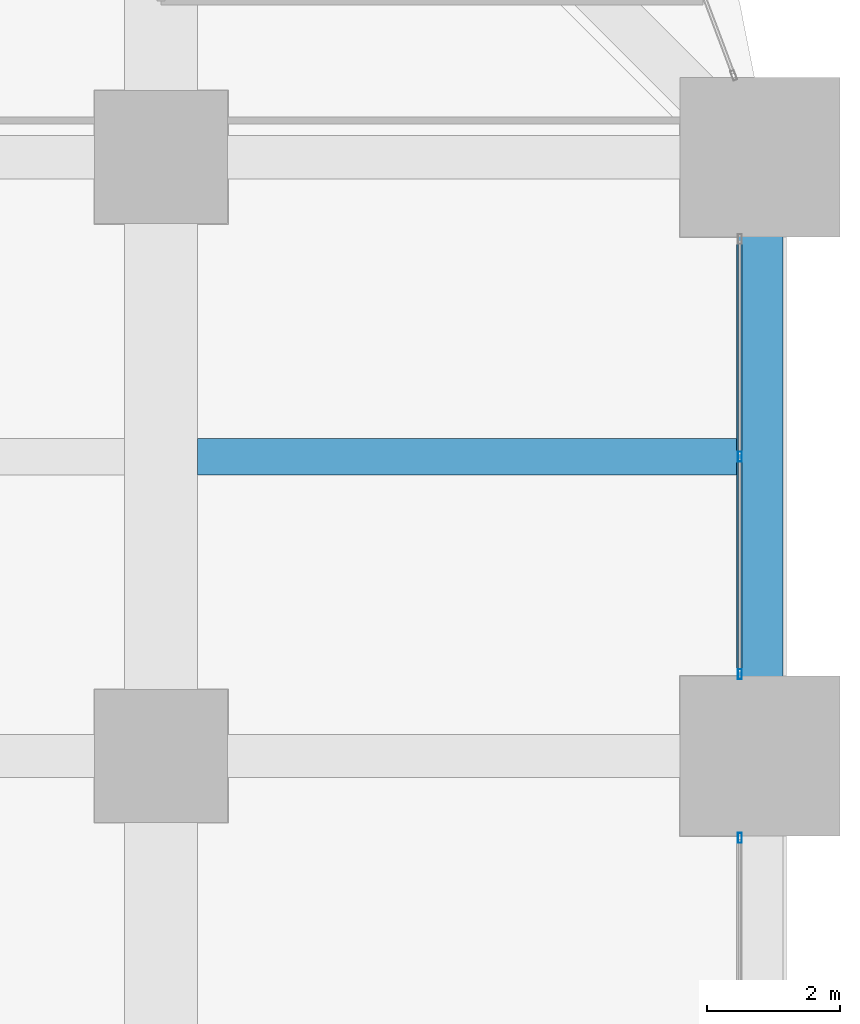
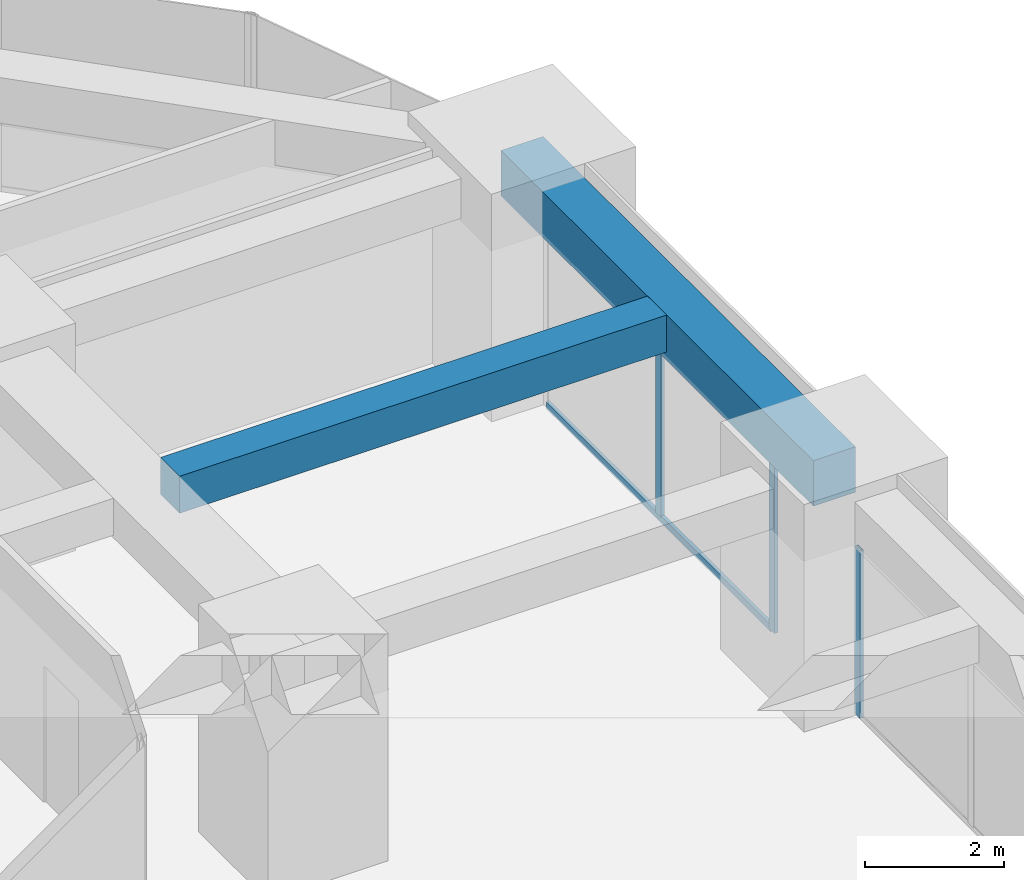
# One storey, part 23 of 41: 4 members, 2 beams, 2 elements without a shape of their own.
"""IFC4 building model written with IfcOpenShell, lengths in metres."""

from ifc_helpers import new_model, si_unit, direction, frame, origin, origin_2d, place, context, subcontext, project, spatial, rectangle, hollow_rectangle, extrude, material, material_profile, profile_set, type_object, element, aggregate, save


model = new_model("IFC4")

# Units and contexts
model_context = context("Model", 3, precision=1e-05, world=origin(), true_north=direction((0.0, 1.0)))
body_context = subcontext(model_context, "Body", "Model", "MODEL_VIEW")
ifc_project = project(units=[si_unit("LENGTHUNIT", "METRE"), si_unit("AREAUNIT", "SQUARE_METRE"), si_unit("VOLUMEUNIT", "CUBIC_METRE"), si_unit("PLANEANGLEUNIT", "RADIAN"), si_unit("MASSUNIT", "GRAM", prefix="KILO")], contexts=[model_context])

# Site, building, storey
site_placement = place(None, origin())
site = spatial("IfcSite", under=ifc_project, at=site_placement, CompositionType="ELEMENT")
building_placement = place(site_placement, origin())
building = spatial("IfcBuilding", under=site, at=building_placement, Name="Zorevar Civic Tower", CompositionType="ELEMENT")
storey_placement = place(building_placement, frame((0.0, 0.0, 97.0)))
storey = spatial("IfcBuildingStorey", under=building, at=storey_placement, Name="L23", CompositionType="ELEMENT", Elevation=97.0)

# Beam
ifc_material_1 = material(Name="Concrete C50/60", Category="concrete")
ifc_material_profile_1 = material_profile(ifc_material_1, rectangle(XDim=0.550048828125, YDim=0.64990234375, at=origin_2d()), Name="RC 550x650")
ifc_profile_set_1 = profile_set([ifc_material_profile_1], Name="Concrete C50/60")
beam_type_1 = type_object("IfcBeamType", Name="Beam RC 550x650", PredefinedType="BEAM", material=ifc_profile_set_1)
beam_1_placement = place(storey_placement, frame((54.550048828125, 31.5, 3.425048828125), z_axis=(1.0, 0.0, 0.0), x_axis=(0.0, 1.0, 0.0)))
element("IfcBeam", 1, at=beam_1_placement, inside=storey, type_object=beam_type_1, Name="Secondary beam L24", PredefinedType="BEAM", context=body_context, shape_type="SweptSolid", body=[
    extrude(rectangle(XDim=0.550048828125, YDim=0.64990234375, at=origin_2d()), origin(), (0.0, 0.0, 1.0), 8.099853515625),
])

# Curtain wall, member
ifc_material_2 = material(Name="Dark grey solar-control glass in black aluminium frame", Category="aluminium")
curtain_wall_type = type_object("IfcCurtainWallType", Name="Curtain wall CW3 mid zone", PredefinedType="NOTDEFINED", material=ifc_material_2)
curtain_wall_1_placement = place(storey_placement, origin())
curtain_wall_1 = element("IfcCurtainWall", 2, at=curtain_wall_1_placement, inside=storey, type_object=curtain_wall_type, Name="CW3 L23", PredefinedType="NOTDEFINED")
ifc_material_3 = material(Name="Aluminium, black anodised", Category="aluminium")
ifc_material_profile_2 = material_profile(ifc_material_3, hollow_rectangle(XDim=0.06005859375, YDim=0.14990234375, WallThickness=0.00390625, at=origin_2d()), Name="AL 150x60x4")
ifc_profile_set_2 = profile_set([ifc_material_profile_2], Name="Aluminium, black anodised")
member_type_1 = type_object("IfcMemberType", Name="CW3 mullion AL 150x60x4", PredefinedType="MULLION", material=ifc_profile_set_2)
member_1_placement = place(storey_placement, frame((62.699951171875, 25.77001953125, 0.0), z_axis=(0.0, 0.0, 1.0), x_axis=(-1.0, 0.0, 0.0)))
member_1 = element("IfcMember", 3, at=member_1_placement, type_object=member_type_1, Name="CW3 mullion 3", PredefinedType="MULLION", context=body_context, shape_type="SweptSolid", body=[
    extrude(hollow_rectangle(XDim=0.06005859375, YDim=0.14990234375, WallThickness=0.00390625, at=origin_2d()), origin(), (0.0, 0.0, 1.0), 2.949951171875),
])
aggregate(curtain_wall_1, [member_1])

# Curtain wall, members
curtain_wall_2_placement = place(storey_placement, origin())
curtain_wall_2 = element("IfcCurtainWall", 4, at=curtain_wall_2_placement, inside=storey, type_object=curtain_wall_type, Name="CW3 L23", PredefinedType="NOTDEFINED")
member_2_placement = place(storey_placement, frame((62.699951171875, 28.22998046875, 0.0), z_axis=(0.0, 0.0, 1.0), x_axis=(-1.0, 0.0, 0.0)))
member_2 = element("IfcMember", 5, at=member_2_placement, type_object=member_type_1, Name="CW3 mullion 1", PredefinedType="MULLION", context=body_context, shape_type="SweptSolid", body=[
    extrude(hollow_rectangle(XDim=0.06005859375, YDim=0.14990234375, WallThickness=0.00390625, at=origin_2d()), origin(), (0.0, 0.0, 1.0), 2.949951171875),
])
member_3_placement = place(storey_placement, frame((62.699951171875, 31.5, 0.06005859375), z_axis=(0.0, 0.0, 1.0), x_axis=(-1.0, 0.0, 0.0)))
member_3 = element("IfcMember", 6, at=member_3_placement, type_object=member_type_1, Name="CW3 mullion 2", PredefinedType="MULLION", context=body_context, shape_type="SweptSolid", body=[
    extrude(hollow_rectangle(XDim=0.06005859375, YDim=0.14990234375, WallThickness=0.00390625, at=origin_2d()), origin(), (0.0, 0.0, 1.0), 2.889892578125),
])
ifc_material_4 = material(Name="Aluminium, black anodised", Category="aluminium")
ifc_material_profile_3 = material_profile(ifc_material_4, hollow_rectangle(XDim=0.06005859375, YDim=0.1201171875, WallThickness=0.0029296875, at=origin_2d()), Name="AL 120x60x3")
ifc_profile_set_3 = profile_set([ifc_material_profile_3], Name="Aluminium, black anodised")
member_type_2 = type_object("IfcMemberType", Name="CW3 transom AL 120x60x3", PredefinedType="USERDEFINED", material=ifc_profile_set_3)
member_4_placement = place(storey_placement, frame((62.699951171875, 28.260009765625, 0.030029296875), z_axis=(0.0, 1.0, 0.0), x_axis=(-1.0, 0.0, 0.0)))
member_4 = element("IfcMember", 7, at=member_4_placement, type_object=member_type_2, Name="CW3 sill transom", ObjectType="TRANSOM", PredefinedType="USERDEFINED", context=body_context, shape_type="SweptSolid", body=[
    extrude(hollow_rectangle(XDim=0.06005859375, YDim=0.1201171875, WallThickness=0.0029296875, at=origin_2d()), origin(), (0.0, 0.0, 1.0), 6.47998046875),
])
aggregate(curtain_wall_2, [member_2, member_3, member_4])

# Beam
ifc_material_5 = material(Name="Concrete C50/60", Category="concrete")
ifc_material_profile_4 = material_profile(ifc_material_5, rectangle(XDim=0.699951171875, YDim=0.800048828125, at=origin_2d()), Name="RC 700x800")
ifc_profile_set_4 = profile_set([ifc_material_profile_4], Name="Concrete C50/60")
beam_type_2 = type_object("IfcBeamType", Name="Edge beam RC 700x800", PredefinedType="SPANDREL", material=ifc_profile_set_4)
beam_2_placement = place(storey_placement, frame((63.0, 27.0, 3.35009765625), z_axis=(0.0, 1.0, 0.0), x_axis=(-1.0, 0.0, 0.0)))
element("IfcBeam", 8, at=beam_2_placement, inside=storey, type_object=beam_type_2, Name="Edge beam L24", PredefinedType="SPANDREL", context=body_context, shape_type="SweptSolid", body=[
    extrude(rectangle(XDim=0.699951171875, YDim=0.800048828125, at=origin_2d()), origin(), (0.0, 0.0, 1.0), 9.0),
])

save(model, "model.ifc")
